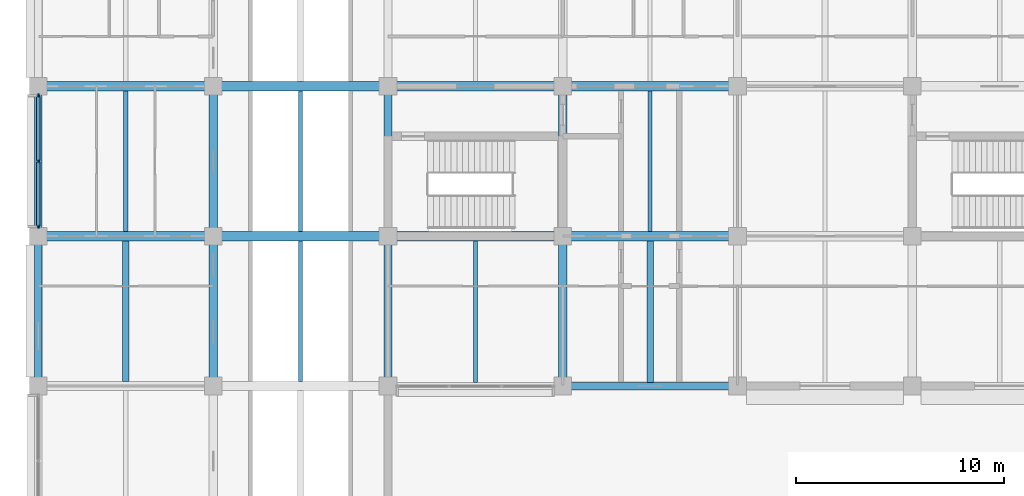
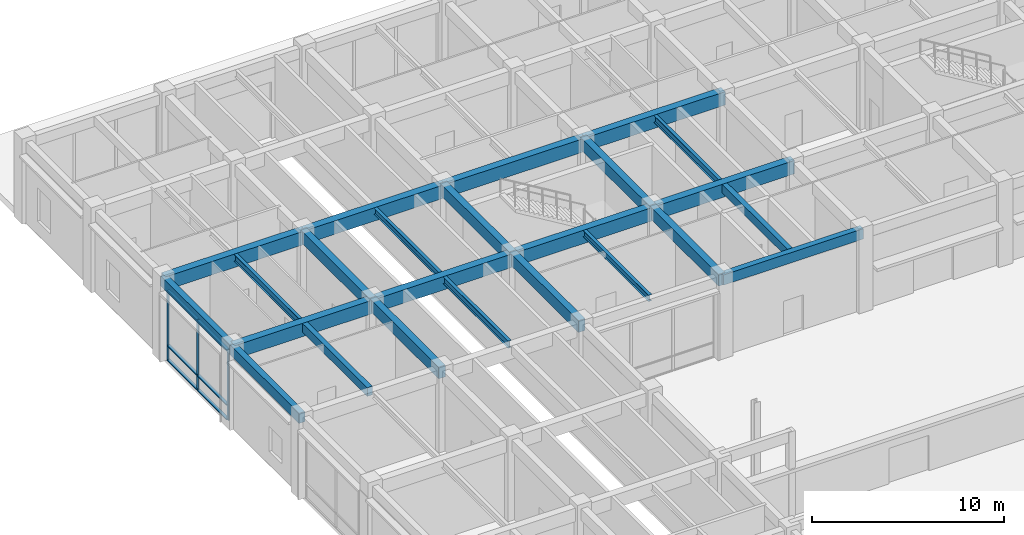
# One storey, part 13 of 73: 24 beams, 9 members, 1 element without a shape of its own.
"""IFC4 building model written with IfcOpenShell, lengths in metres."""

from ifc_helpers import new_model, si_unit, direction, frame, origin, origin_2d, place, context, subcontext, project, spatial, rectangle, i_section, extrude, material, layer, layer_set, material_profile, profile_set, type_object, element, aggregate, save


model = new_model("IFC4")

# Units and contexts
model_context = context("Model", 3, precision=1e-05, world=origin(), true_north=direction((0.0, 1.0)))
body_context = subcontext(model_context, "Body", "Model", "MODEL_VIEW")
ifc_project = project(units=[si_unit("LENGTHUNIT", "METRE"), si_unit("AREAUNIT", "SQUARE_METRE"), si_unit("VOLUMEUNIT", "CUBIC_METRE"), si_unit("PLANEANGLEUNIT", "RADIAN"), si_unit("MASSUNIT", "GRAM", prefix="KILO")], contexts=[model_context])

# Site, building, storey
site_placement = place(None, origin())
site = spatial("IfcSite", under=ifc_project, at=site_placement, CompositionType="ELEMENT")
building_placement = place(site_placement, origin())
building = spatial("IfcBuilding", under=site, at=building_placement, Name="Chengyuan Square Courthouse", CompositionType="ELEMENT")
storey_placement = place(building_placement, origin())
storey = spatial("IfcBuildingStorey", under=building, at=storey_placement, Name="L01", CompositionType="ELEMENT", Elevation=0.0)

# Beams
ifc_material_1 = material(Name="Concrete C40", Category="concrete")
ifc_material_profile_1 = material_profile(ifc_material_1, rectangle(XDim=0.449951171875, YDim=0.85009765625, at=origin_2d()), Name="RC-BM-450x850")
ifc_profile_set_1 = profile_set([ifc_material_profile_1], Name="Concrete C40")
beam_type_1 = type_object("IfcBeamType", Name="BM-01", PredefinedType="USERDEFINED", material=ifc_profile_set_1)
beam_1_placement = place(storey_placement, frame((0.0, 86.39990234375, 4.695068359375), z_axis=(1.0, 0.0, 0.0), x_axis=(0.0, 1.0, 0.0)))
element("IfcBeam", 1, at=beam_1_placement, inside=storey, type_object=beam_type_1, Name="Girder BM-L01-1709", ObjectType="GIRDER", PredefinedType="USERDEFINED", context=body_context, shape_type="SweptSolid", body=[
    extrude(rectangle(XDim=0.449951171875, YDim=0.85009765625, at=origin_2d()), origin(), (0.0, 0.0, 1.0), 8.39990234375),
])
beam_2_placement = place(storey_placement, frame((8.39990234375, 86.39990234375, 4.695068359375), z_axis=(1.0, 0.0, 0.0), x_axis=(0.0, 1.0, 0.0)))
element("IfcBeam", 2, at=beam_2_placement, inside=storey, type_object=beam_type_1, Name="Girder BM-L01-1710", ObjectType="GIRDER", PredefinedType="USERDEFINED", context=body_context, shape_type="SweptSolid", body=[
    extrude(rectangle(XDim=0.449951171875, YDim=0.85009765625, at=origin_2d()), origin(), (0.0, 0.0, 1.0), 8.400146484375),
])
beam_3_placement = place(storey_placement, frame((16.800048828125, 86.39990234375, 4.695068359375), z_axis=(1.0, 0.0, 0.0), x_axis=(0.0, 1.0, 0.0)))
element("IfcBeam", 3, at=beam_3_placement, inside=storey, type_object=beam_type_1, Name="Girder BM-L01-1711", ObjectType="GIRDER", PredefinedType="USERDEFINED", context=body_context, shape_type="SweptSolid", body=[
    extrude(rectangle(XDim=0.449951171875, YDim=0.85009765625, at=origin_2d()), origin(), (0.0, 0.0, 1.0), 8.39990234375),
])
beam_4_placement = place(storey_placement, frame((25.199951171875, 86.39990234375, 4.695068359375), z_axis=(1.0, 0.0, 0.0), x_axis=(0.0, 1.0, 0.0)))
element("IfcBeam", 4, at=beam_4_placement, inside=storey, type_object=beam_type_1, Name="Girder BM-L01-1712", ObjectType="GIRDER", PredefinedType="USERDEFINED", context=body_context, shape_type="SweptSolid", body=[
    extrude(rectangle(XDim=0.449951171875, YDim=0.85009765625, at=origin_2d()), origin(), (0.0, 0.0, 1.0), 8.400146484375),
])
beam_5_placement = place(storey_placement, frame((0.0, 93.60009765625, 4.695068359375), z_axis=(1.0, 0.0, 0.0), x_axis=(0.0, 1.0, 0.0)))
element("IfcBeam", 5, at=beam_5_placement, inside=storey, type_object=beam_type_1, Name="Girder BM-L01-1729", ObjectType="GIRDER", PredefinedType="USERDEFINED", context=body_context, shape_type="SweptSolid", body=[
    extrude(rectangle(XDim=0.449951171875, YDim=0.85009765625, at=origin_2d()), origin(), (0.0, 0.0, 1.0), 8.39990234375),
])
beam_6_placement = place(storey_placement, frame((8.39990234375, 93.60009765625, 4.695068359375), z_axis=(1.0, 0.0, 0.0), x_axis=(0.0, 1.0, 0.0)))
element("IfcBeam", 6, at=beam_6_placement, inside=storey, type_object=beam_type_1, Name="Girder BM-L01-1730", ObjectType="GIRDER", PredefinedType="USERDEFINED", context=body_context, shape_type="SweptSolid", body=[
    extrude(rectangle(XDim=0.449951171875, YDim=0.85009765625, at=origin_2d()), origin(), (0.0, 0.0, 1.0), 8.400146484375),
])
beam_7_placement = place(storey_placement, frame((16.800048828125, 93.60009765625, 4.695068359375), z_axis=(1.0, 0.0, 0.0), x_axis=(0.0, 1.0, 0.0)))
element("IfcBeam", 7, at=beam_7_placement, inside=storey, type_object=beam_type_1, Name="Girder BM-L01-1731", ObjectType="GIRDER", PredefinedType="USERDEFINED", context=body_context, shape_type="SweptSolid", body=[
    extrude(rectangle(XDim=0.449951171875, YDim=0.85009765625, at=origin_2d()), origin(), (0.0, 0.0, 1.0), 8.39990234375),
])
beam_8_placement = place(storey_placement, frame((25.199951171875, 93.60009765625, 4.695068359375), z_axis=(1.0, 0.0, 0.0), x_axis=(0.0, 1.0, 0.0)))
element("IfcBeam", 8, at=beam_8_placement, inside=storey, type_object=beam_type_1, Name="Girder BM-L01-1732", ObjectType="GIRDER", PredefinedType="USERDEFINED", context=body_context, shape_type="SweptSolid", body=[
    extrude(rectangle(XDim=0.449951171875, YDim=0.85009765625, at=origin_2d()), origin(), (0.0, 0.0, 1.0), 8.400146484375),
])
ifc_material_profile_2 = material_profile(ifc_material_1, rectangle(XDim=0.39990234375, YDim=0.75, at=origin_2d()), Name="RC-BM-400x750")
ifc_profile_set_2 = profile_set([ifc_material_profile_2], Name="Concrete C40")
beam_type_2 = type_object("IfcBeamType", Name="BM-02", PredefinedType="USERDEFINED", material=ifc_profile_set_2)
beam_9_placement = place(storey_placement, frame((8.39990234375, 79.199951171875, 4.7451171875), z_axis=(0.0, 1.0, 0.0), x_axis=(-1.0, 0.0, 0.0)))
element("IfcBeam", 9, at=beam_9_placement, inside=storey, type_object=beam_type_2, Name="Girder BM-L01-1823", ObjectType="GIRDER", PredefinedType="USERDEFINED", context=body_context, shape_type="SweptSolid", body=[
    extrude(rectangle(XDim=0.39990234375, YDim=0.75, at=origin_2d()), origin(), (0.0, 0.0, 1.0), 7.199951171875),
])
beam_10_placement = place(storey_placement, frame((8.39990234375, 86.39990234375, 4.7451171875), z_axis=(0.0, 1.0, 0.0), x_axis=(-1.0, 0.0, 0.0)))
element("IfcBeam", 10, at=beam_10_placement, inside=storey, type_object=beam_type_2, Name="Girder BM-L01-1824", ObjectType="GIRDER", PredefinedType="USERDEFINED", context=body_context, shape_type="SweptSolid", body=[
    extrude(rectangle(XDim=0.39990234375, YDim=0.75, at=origin_2d()), origin(), (0.0, 0.0, 1.0), 7.2001953125),
])
beam_11_placement = place(storey_placement, frame((16.800048828125, 79.199951171875, 4.7451171875), z_axis=(0.0, 1.0, 0.0), x_axis=(-1.0, 0.0, 0.0)))
element("IfcBeam", 11, at=beam_11_placement, inside=storey, type_object=beam_type_2, Name="Girder BM-L01-1838", ObjectType="GIRDER", PredefinedType="USERDEFINED", context=body_context, shape_type="SweptSolid", body=[
    extrude(rectangle(XDim=0.39990234375, YDim=0.75, at=origin_2d()), origin(), (0.0, 0.0, 1.0), 7.199951171875),
])
beam_12_placement = place(storey_placement, frame((16.800048828125, 86.39990234375, 4.7451171875), z_axis=(0.0, 1.0, 0.0), x_axis=(-1.0, 0.0, 0.0)))
element("IfcBeam", 12, at=beam_12_placement, inside=storey, type_object=beam_type_2, Name="Girder BM-L01-1839", ObjectType="GIRDER", PredefinedType="USERDEFINED", context=body_context, shape_type="SweptSolid", body=[
    extrude(rectangle(XDim=0.39990234375, YDim=0.75, at=origin_2d()), origin(), (0.0, 0.0, 1.0), 7.2001953125),
])
beam_13_placement = place(storey_placement, frame((25.199951171875, 79.199951171875, 4.7451171875), z_axis=(0.0, 1.0, 0.0), x_axis=(-1.0, 0.0, 0.0)))
element("IfcBeam", 13, at=beam_13_placement, inside=storey, type_object=beam_type_2, Name="Girder BM-L01-1842", ObjectType="GIRDER", PredefinedType="USERDEFINED", context=body_context, shape_type="SweptSolid", body=[
    extrude(rectangle(XDim=0.39990234375, YDim=0.75, at=origin_2d()), origin(), (0.0, 0.0, 1.0), 7.199951171875),
])
beam_14_placement = place(storey_placement, frame((25.199951171875, 86.39990234375, 4.7451171875), z_axis=(0.0, 1.0, 0.0), x_axis=(-1.0, 0.0, 0.0)))
element("IfcBeam", 14, at=beam_14_placement, inside=storey, type_object=beam_type_2, Name="Girder BM-L01-1843", ObjectType="GIRDER", PredefinedType="USERDEFINED", context=body_context, shape_type="SweptSolid", body=[
    extrude(rectangle(XDim=0.39990234375, YDim=0.75, at=origin_2d()), origin(), (0.0, 0.0, 1.0), 7.2001953125),
])
ifc_material_profile_3 = material_profile(ifc_material_1, rectangle(XDim=0.35009765625, YDim=0.64990234375, at=origin_2d()), Name="RC-BM-350x650")
ifc_profile_set_3 = profile_set([ifc_material_profile_3], Name="Concrete C40")
beam_type_3 = type_object("IfcBeamType", Name="BM-03", PredefinedType="SPANDREL", material=ifc_profile_set_3)
beam_15_placement = place(storey_placement, frame((25.199951171875, 79.199951171875, 4.794921875), z_axis=(1.0, 0.0, 0.0), x_axis=(0.0, 1.0, 0.0)))
element("IfcBeam", 15, at=beam_15_placement, inside=storey, type_object=beam_type_3, Name="Girder BM-L01-1692", PredefinedType="SPANDREL", context=body_context, shape_type="SweptSolid", body=[
    extrude(rectangle(XDim=0.35009765625, YDim=0.64990234375, at=origin_2d()), origin(), (0.0, 0.0, 1.0), 8.400146484375),
])
beam_16_placement = place(storey_placement, frame((0.0, 79.199951171875, 4.794921875), z_axis=(0.0, 1.0, 0.0), x_axis=(-1.0, 0.0, 0.0)))
element("IfcBeam", 16, at=beam_16_placement, inside=storey, type_object=beam_type_3, Name="Girder BM-L01-1808", PredefinedType="SPANDREL", context=body_context, shape_type="SweptSolid", body=[
    extrude(rectangle(XDim=0.35009765625, YDim=0.64990234375, at=origin_2d()), origin(), (0.0, 0.0, 1.0), 7.199951171875),
])
beam_17_placement = place(storey_placement, frame((0.0, 86.39990234375, 4.794921875), z_axis=(0.0, 1.0, 0.0), x_axis=(-1.0, 0.0, 0.0)))
element("IfcBeam", 17, at=beam_17_placement, inside=storey, type_object=beam_type_3, Name="Girder BM-L01-1809", PredefinedType="SPANDREL", context=body_context, shape_type="SweptSolid", body=[
    extrude(rectangle(XDim=0.35009765625, YDim=0.64990234375, at=origin_2d()), origin(), (0.0, 0.0, 1.0), 7.2001953125),
])
ifc_material_profile_4 = material_profile(ifc_material_1, rectangle(XDim=0.300048828125, YDim=0.550048828125, at=origin_2d()), Name="RC-BM-300x550")
ifc_profile_set_4 = profile_set([ifc_material_profile_4], Name="Concrete C40")
beam_type_4 = type_object("IfcBeamType", Name="BM-04", PredefinedType="BEAM", material=ifc_profile_set_4)
beam_18_placement = place(storey_placement, frame((4.199951171875, 79.425048828125, 4.844970703125), z_axis=(0.0, 1.0, 0.0), x_axis=(-1.0, 0.0, 0.0)))
element("IfcBeam", 18, at=beam_18_placement, inside=storey, type_object=beam_type_4, Name="Secondary Floor Beam SBM-L01-1968", PredefinedType="BEAM", context=body_context, shape_type="SweptSolid", body=[
    extrude(rectangle(XDim=0.300048828125, YDim=0.550048828125, at=origin_2d()), origin(), (0.0, 0.0, 1.0), 6.75),
])
beam_19_placement = place(storey_placement, frame((29.39990234375, 79.375, 4.844970703125), z_axis=(0.0, 1.0, 0.0), x_axis=(-1.0, 0.0, 0.0)))
element("IfcBeam", 19, at=beam_19_placement, inside=storey, type_object=beam_type_4, Name="Secondary Floor Beam SBM-L01-1989", PredefinedType="BEAM", context=body_context, shape_type="SweptSolid", body=[
    extrude(rectangle(XDim=0.300048828125, YDim=0.550048828125, at=origin_2d()), origin(), (0.0, 0.0, 1.0), 6.800048828125),
])
ifc_material_2 = material(Name="Steel Q355B", Category="steel")
ifc_material_profile_5 = material_profile(ifc_material_2, i_section(OverallWidth=0.199951171875, OverallDepth=0.449951171875, WebThickness=0.009033203125, FlangeThickness=0.013916015625, at=origin_2d()), Name="HN 450x200x9x14")
ifc_profile_set_5 = profile_set([ifc_material_profile_5], Name="Steel Q355B")
beam_type_5 = type_object("IfcBeamType", Name="BM-06", PredefinedType="BEAM", material=ifc_profile_set_5)
for number, where, z_axis, x_axis, name in (
    (20, (4.199951171875, 86.625, 4.89501953125), (0.0, 1.0, 0.0), (-1.0, 0.0, 0.0), "Secondary Floor Beam SBM-L01-1969"),
    (21, (12.60009765625, 79.425048828125, 4.89501953125), (0.0, 1.0, 0.0), (-1.0, 0.0, 0.0), "Secondary Floor Beam SBM-L01-1982"),
    (22, (29.39990234375, 86.625, 4.89501953125), (0.0, 1.0, 0.0), (-1.0, 0.0, 0.0), "Secondary Floor Beam SBM-L01-1990"),
):
    element("IfcBeam", number, at=place(storey_placement, frame(where, z_axis=z_axis, x_axis=x_axis)), inside=storey, type_object=beam_type_5, Name=name, PredefinedType="BEAM", context=body_context, shape_type="SweptSolid", body=[
        extrude(i_section(OverallWidth=0.199951171875, OverallDepth=0.449951171875, WebThickness=0.009033203125, FlangeThickness=0.013916015625, at=origin_2d()), origin(), (0.0, 0.0, 1.0), 6.75),
    ])
ifc_material_profile_6 = material_profile(ifc_material_2, i_section(OverallWidth=0.199951171875, OverallDepth=0.39990234375, WebThickness=0.008056640625, FlangeThickness=0.012939453125, at=origin_2d()), Name="HN 400x200x8x13")
ifc_profile_set_6 = profile_set([ifc_material_profile_6], Name="Steel Q355B")
beam_type_6 = type_object("IfcBeamType", Name="BM-07", PredefinedType="BEAM", material=ifc_profile_set_6)
beam_20_placement = place(storey_placement, frame((12.60009765625, 86.625, 4.919921875), z_axis=(0.0, 1.0, 0.0), x_axis=(-1.0, 0.0, 0.0)))
element("IfcBeam", 23, at=beam_20_placement, inside=storey, type_object=beam_type_6, Name="Secondary Floor Beam SBM-L01-1983", PredefinedType="BEAM", context=body_context, shape_type="SweptSolid", body=[
    extrude(i_section(OverallWidth=0.199951171875, OverallDepth=0.39990234375, WebThickness=0.008056640625, FlangeThickness=0.012939453125, at=origin_2d()), origin(), (0.0, 0.0, 1.0), 6.75),
])
beam_21_placement = place(storey_placement, frame((21.0, 79.375, 4.919921875), z_axis=(0.0, 1.0, 0.0), x_axis=(-1.0, 0.0, 0.0)))
element("IfcBeam", 24, at=beam_21_placement, inside=storey, type_object=beam_type_6, Name="Secondary Floor Beam SBM-L01-1986", PredefinedType="BEAM", context=body_context, shape_type="SweptSolid", body=[
    extrude(i_section(OverallWidth=0.199951171875, OverallDepth=0.39990234375, WebThickness=0.008056640625, FlangeThickness=0.012939453125, at=origin_2d()), origin(), (0.0, 0.0, 1.0), 6.800048828125),
])

# Curtain wall, members
ifc_material_3 = material(Name="Unitised Aluminium and Triple Low-E Glass", Category="aluminium")
ifc_layer = layer(ifc_material_3, 0.179931640625)
ifc_layer_set = layer_set([ifc_layer], Name="Unitised Aluminium and Triple Low-E Glass")
curtain_wall_type = type_object("IfcCurtainWallType", Name="CW-14", PredefinedType="USERDEFINED", material=ifc_layer_set)
curtain_wall_placement = place(storey_placement, origin())
curtain_wall = element("IfcCurtainWall", 25, at=curtain_wall_placement, inside=storey, type_object=curtain_wall_type, Name="Unitised Curtain Wall CW-L01-008", ObjectType="UNITISED CURTAIN WALL", PredefinedType="USERDEFINED")
ifc_material_4 = material(Name="Aluminium 6063-T6 Frame", Category="aluminium")
ifc_material_profile_7 = material_profile(ifc_material_4, rectangle(XDim=0.06494140625, YDim=0.179931640625, at=origin_2d()), Name="CW-MUL-65x180")
ifc_profile_set_7 = profile_set([ifc_material_profile_7], Name="Aluminium 6063-T6 Frame")
member_type_1 = type_object("IfcMemberType", Name="CWM-02", PredefinedType="MULLION", material=ifc_profile_set_7)
member_1_placement = place(storey_placement, frame((0.0, 86.857421875, 0.0), z_axis=(0.0, 0.0, 1.0), x_axis=(-1.0, 0.0, 0.0)))
member_1 = element("IfcMember", 26, at=member_1_placement, type_object=member_type_1, Name="CW-14 mullion 1", PredefinedType="MULLION", context=body_context, shape_type="SweptSolid", body=[
    extrude(rectangle(XDim=0.06494140625, YDim=0.179931640625, at=origin_2d()), origin(), (0.0, 0.0, 1.0), 4.469970703125),
])
member_2_placement = place(storey_placement, frame((0.0, 90.0, 0.0), z_axis=(0.0, 0.0, 1.0), x_axis=(-1.0, 0.0, 0.0)))
member_2 = element("IfcMember", 27, at=member_2_placement, type_object=member_type_1, Name="CW-14 mullion 2", PredefinedType="MULLION", context=body_context, shape_type="SweptSolid", body=[
    extrude(rectangle(XDim=0.06494140625, YDim=0.179931640625, at=origin_2d()), origin(), (0.0, 0.0, 1.0), 4.469970703125),
])
member_3_placement = place(storey_placement, frame((0.0, 93.142578125, 0.0), z_axis=(0.0, 0.0, 1.0), x_axis=(-1.0, 0.0, 0.0)))
member_3 = element("IfcMember", 28, at=member_3_placement, type_object=member_type_1, Name="CW-14 mullion 3", PredefinedType="MULLION", context=body_context, shape_type="SweptSolid", body=[
    extrude(rectangle(XDim=0.06494140625, YDim=0.179931640625, at=origin_2d()), origin(), (0.0, 0.0, 1.0), 4.469970703125),
])
ifc_material_profile_8 = material_profile(ifc_material_4, rectangle(XDim=0.179931640625, YDim=0.06494140625, at=origin_2d()), Name="CW-TRN-65x140")
ifc_profile_set_8 = profile_set([ifc_material_profile_8], Name="Aluminium 6063-T6 Frame")
member_type_2 = type_object("IfcMemberType", Name="CWT-02", PredefinedType="USERDEFINED", material=ifc_profile_set_8)
member_4_placement = place(storey_placement, frame((0.0, 86.889892578125, 0.032470703125), z_axis=(0.0, 1.0, 0.0), x_axis=(-1.0, 0.0, 0.0)))
member_4 = element("IfcMember", 29, at=member_4_placement, type_object=member_type_2, Name="CW-14 transom 1.1", ObjectType="TRANSOM", PredefinedType="USERDEFINED", context=body_context, shape_type="SweptSolid", body=[
    extrude(rectangle(XDim=0.179931640625, YDim=0.06494140625, at=origin_2d()), origin(), (0.0, 0.0, 1.0), 3.07763671875),
])
member_5_placement = place(storey_placement, frame((0.0, 86.889892578125, 0.949951171875), z_axis=(0.0, 1.0, 0.0), x_axis=(-1.0, 0.0, 0.0)))
member_5 = element("IfcMember", 30, at=member_5_placement, type_object=member_type_2, Name="CW-14 transom 1.2", ObjectType="TRANSOM", PredefinedType="USERDEFINED", context=body_context, shape_type="SweptSolid", body=[
    extrude(rectangle(XDim=0.179931640625, YDim=0.06494140625, at=origin_2d()), origin(), (0.0, 0.0, 1.0), 3.07763671875),
])
member_6_placement = place(storey_placement, frame((0.0, 86.889892578125, 4.4375), z_axis=(0.0, 1.0, 0.0), x_axis=(-1.0, 0.0, 0.0)))
member_6 = element("IfcMember", 31, at=member_6_placement, type_object=member_type_2, Name="CW-14 transom 1.3", ObjectType="TRANSOM", PredefinedType="USERDEFINED", context=body_context, shape_type="SweptSolid", body=[
    extrude(rectangle(XDim=0.179931640625, YDim=0.06494140625, at=origin_2d()), origin(), (0.0, 0.0, 1.0), 3.07763671875),
])
member_7_placement = place(storey_placement, frame((0.0, 90.032470703125, 0.032470703125), z_axis=(0.0, 1.0, 0.0), x_axis=(-1.0, 0.0, 0.0)))
member_7 = element("IfcMember", 32, at=member_7_placement, type_object=member_type_2, Name="CW-14 transom 2.1", ObjectType="TRANSOM", PredefinedType="USERDEFINED", context=body_context, shape_type="SweptSolid", body=[
    extrude(rectangle(XDim=0.179931640625, YDim=0.06494140625, at=origin_2d()), origin(), (0.0, 0.0, 1.0), 3.07763671875),
])
member_8_placement = place(storey_placement, frame((0.0, 90.032470703125, 0.949951171875), z_axis=(0.0, 1.0, 0.0), x_axis=(-1.0, 0.0, 0.0)))
member_8 = element("IfcMember", 33, at=member_8_placement, type_object=member_type_2, Name="CW-14 transom 2.2", ObjectType="TRANSOM", PredefinedType="USERDEFINED", context=body_context, shape_type="SweptSolid", body=[
    extrude(rectangle(XDim=0.179931640625, YDim=0.06494140625, at=origin_2d()), origin(), (0.0, 0.0, 1.0), 3.07763671875),
])
member_9_placement = place(storey_placement, frame((0.0, 90.032470703125, 4.4375), z_axis=(0.0, 1.0, 0.0), x_axis=(-1.0, 0.0, 0.0)))
member_9 = element("IfcMember", 34, at=member_9_placement, type_object=member_type_2, Name="CW-14 transom 2.3", ObjectType="TRANSOM", PredefinedType="USERDEFINED", context=body_context, shape_type="SweptSolid", body=[
    extrude(rectangle(XDim=0.179931640625, YDim=0.06494140625, at=origin_2d()), origin(), (0.0, 0.0, 1.0), 3.07763671875),
])
aggregate(curtain_wall, [member_1, member_2, member_3, member_4, member_5, member_6, member_7, member_8, member_9])

save(model, "model.ifc")
